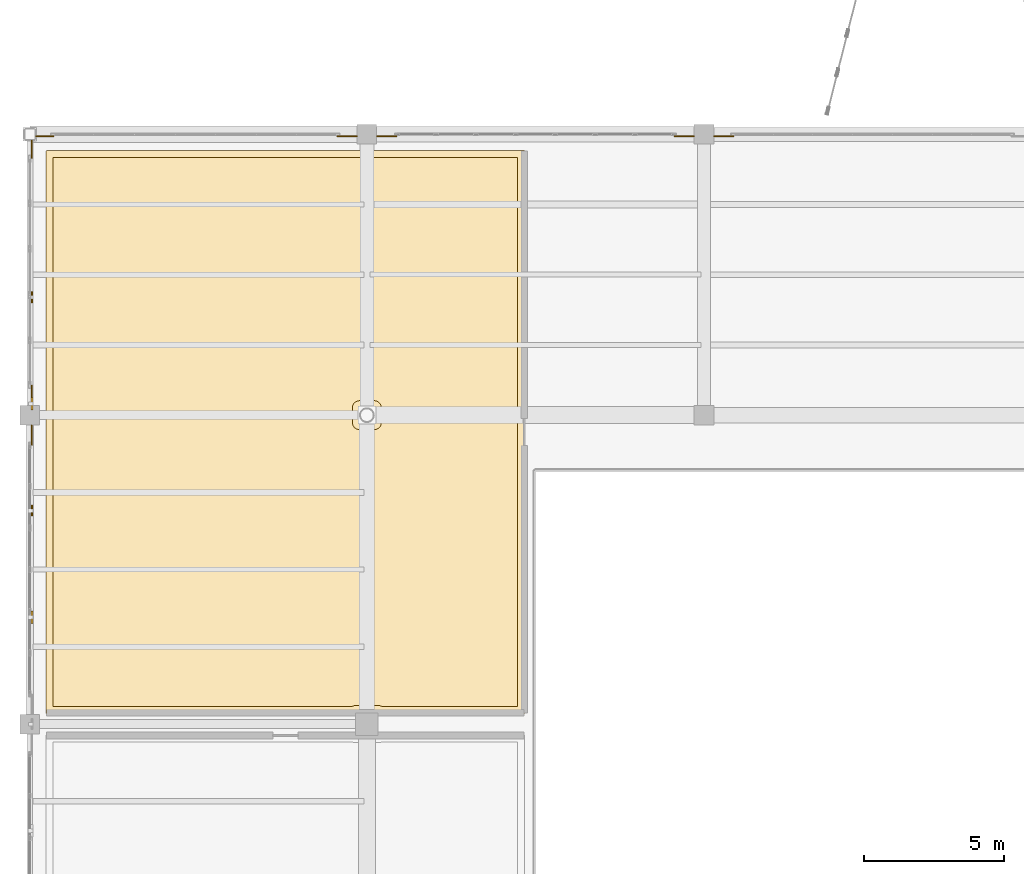
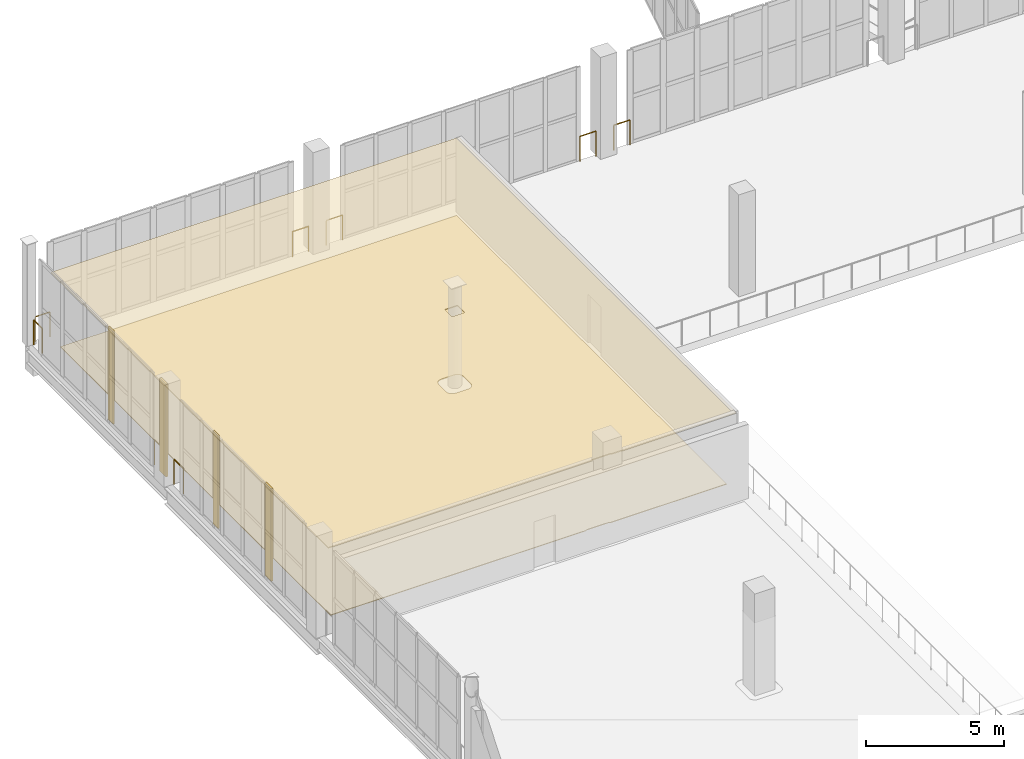
# One storey, part 95 of 108: 8 railings, 4 shading devices, 2 coverings.
"""IFC4 building model written with IfcOpenShell, lengths in metres."""

from ifc_helpers import new_model, si_unit, direction, frame, origin, origin_2d, place, context, subcontext, project, spatial, polyline, rectangle, circle, outline, extrude, material, layer, layer_set, material_profile, profile_set, type_object, element, save


model = new_model("IFC4")

# Units and contexts
model_context = context("Model", 3, precision=1e-05, world=origin(), true_north=direction((0.0, 1.0)))
body_context = subcontext(model_context, "Body", "Model", "MODEL_VIEW")
ifc_project = project(units=[si_unit("LENGTHUNIT", "METRE"), si_unit("AREAUNIT", "SQUARE_METRE"), si_unit("VOLUMEUNIT", "CUBIC_METRE"), si_unit("PLANEANGLEUNIT", "RADIAN"), si_unit("MASSUNIT", "GRAM", prefix="KILO")], contexts=[model_context])

# Site, building, storey
site_placement = place(None, origin())
site = spatial("IfcSite", under=ifc_project, at=site_placement, CompositionType="ELEMENT")
building_placement = place(site_placement, origin())
building = spatial("IfcBuilding", under=site, at=building_placement, Name="Brinegate Civic Arena", CompositionType="ELEMENT")
storey_placement = place(building_placement, frame((0.0, 0.0, 10.199951171875)))
storey = spatial("IfcBuildingStorey", under=building, at=storey_placement, Name="L02", CompositionType="ELEMENT", Elevation=10.199951171875)

# Coverings
ifc_material_1 = material(Name="Acoustic perforated aluminium ceiling", Category="aluminium")
ifc_layer_1 = layer(ifc_material_1, 0.044921875, Name="Acoustic perforated aluminium ceiling")
ifc_layer_set_1 = layer_set([ifc_layer_1], Name="Acoustic perforated aluminium ceiling")
covering_type_1 = type_object("IfcCoveringType", Name="CEILING-BAFFLE-45", PredefinedType="CEILING", material=ifc_layer_set_1)
covering_1_placement = place(storey_placement, frame((0.0, 0.0, 3.205078125)))
element("IfcCovering", 1, at=covering_1_placement, inside=storey, type_object=covering_type_1, Name="Acoustic Ceiling L02-005", PredefinedType="CEILING", context=body_context, shape_type="SweptSolid", body=[
    extrude(outline(polyline([(17.60400390625, 51.419921875), (17.60595703125, 51.4189453125), (17.60791015625, 51.41796875), (17.60888671875, 51.41796875), (17.611083984375, 51.4169921875), (17.613037109375, 51.4150390625), (17.614013671875, 51.4140625), (17.614990234375, 51.4130859375), (17.616943359375, 51.410888671875), (17.617919921875, 51.408935546875), (17.617919921875, 51.407958984375), (17.618896484375, 51.406005859375), (17.6201171875, 51.404052734375), (17.6201171875, 51.402099609375), (17.6201171875, 51.39990234375), (17.6201171875, 31.39990234375), (17.6201171875, 31.39794921875), (17.6201171875, 31.39599609375), (17.618896484375, 31.39404296875), (17.617919921875, 31.39208984375), (17.617919921875, 31.39111328125), (17.616943359375, 31.388916015625), (17.614990234375, 31.386962890625), (17.614013671875, 31.385986328125), (17.613037109375, 31.385009765625), (17.611083984375, 31.383056640625), (17.60888671875, 31.382080078125), (17.60791015625, 31.382080078125), (17.60595703125, 31.381103515625), (17.60400390625, 31.3798828125), (17.60205078125, 31.3798828125), (17.60009765625, 31.3798828125), (12.409912109375, 31.3798828125), (12.409912109375, 31.409912109375), (11.590087890625, 31.409912109375), (11.590087890625, 31.3798828125), (0.60009765625, 31.3798828125), (0.597900390625, 31.3798828125), (0.595947265625, 31.3798828125), (0.593994140625, 31.381103515625), (0.592041015625, 31.382080078125), (0.591064453125, 31.382080078125), (0.589111328125, 31.383056640625), (0.5869140625, 31.385009765625), (0.5859375, 31.385986328125), (0.5849609375, 31.386962890625), (0.5830078125, 31.388916015625), (0.58203125, 31.39111328125), (0.58203125, 31.39208984375), (0.5810546875, 31.39404296875), (0.580078125, 31.39599609375), (0.580078125, 31.39794921875), (0.580078125, 31.39990234375), (0.580078125, 51.39990234375), (0.580078125, 51.402099609375), (0.580078125, 51.404052734375), (0.5810546875, 51.406005859375), (0.58203125, 51.407958984375), (0.58203125, 51.408935546875), (0.5830078125, 51.410888671875), (0.5849609375, 51.4130859375), (0.5859375, 51.4140625), (0.5869140625, 51.4150390625), (0.589111328125, 51.4169921875), (0.591064453125, 51.41796875), (0.592041015625, 51.41796875), (0.593994140625, 51.4189453125), (0.595947265625, 51.419921875), (0.597900390625, 51.419921875), (0.60009765625, 51.419921875), (17.60009765625, 51.419921875), (17.60205078125, 51.419921875), (17.60400390625, 51.419921875)]), holes=[polyline([(11.736083984375, 42.263916015625), (11.736083984375, 41.736083984375), (12.263916015625, 41.736083984375), (12.263916015625, 42.263916015625), (11.736083984375, 42.263916015625)])]), origin(), (0.0, 0.0, 1.0), 0.044921875),
])
ifc_material_2 = material(Name="Polished coral terrazzo flooring")
ifc_layer_2 = layer(ifc_material_2, 0.028076171875, Name="Polished coral terrazzo flooring")
ifc_layer_set_2 = layer_set([ifc_layer_2], Name="Polished coral terrazzo flooring")
covering_type_2 = type_object("IfcCoveringType", Name="FLOORING-TERRAZZO-28", PredefinedType="FLOORING", material=ifc_layer_set_2)
covering_2_placement = place(storey_placement, origin())
element("IfcCovering", 2, at=covering_2_placement, inside=storey, type_object=covering_type_2, Name="Flooring L02-005", PredefinedType="FLOORING", context=body_context, shape_type="SweptSolid", body=[
    extrude(outline(polyline([(0.830078125, 31.6298828125), (0.830078125, 51.169921875), (17.3701171875, 51.169921875), (17.3701171875, 31.6298828125), (12.529052734375, 31.6298828125), (12.528076171875, 31.6298828125), (12.506103515625, 31.64111328125), (12.48291015625, 31.64892578125), (12.458984375, 31.655029296875), (12.43505859375, 31.658935546875), (12.409912109375, 31.659912109375), (11.590087890625, 31.659912109375), (11.56494140625, 31.658935546875), (11.541015625, 31.655029296875), (11.51708984375, 31.64892578125), (11.493896484375, 31.64111328125), (11.471923828125, 31.6298828125), (11.470947265625, 31.6298828125), (0.830078125, 31.6298828125)]), holes=[polyline([(11.736083984375, 42.513916015625), (11.7109375, 42.512939453125), (11.68701171875, 42.509033203125), (11.6630859375, 42.5029296875), (11.639892578125, 42.4951171875), (11.617919921875, 42.48388671875), (11.596923828125, 42.471923828125), (11.576904296875, 42.45703125), (11.55908203125, 42.44091796875), (11.54296875, 42.423095703125), (11.528076171875, 42.403076171875), (11.51611328125, 42.382080078125), (11.5048828125, 42.360107421875), (11.4970703125, 42.3369140625), (11.490966796875, 42.31298828125), (11.487060546875, 42.2890625), (11.486083984375, 42.263916015625), (11.486083984375, 41.736083984375), (11.487060546875, 41.7109375), (11.490966796875, 41.68701171875), (11.4970703125, 41.6630859375), (11.5048828125, 41.639892578125), (11.51611328125, 41.617919921875), (11.528076171875, 41.596923828125), (11.54296875, 41.576904296875), (11.55908203125, 41.55908203125), (11.576904296875, 41.54296875), (11.596923828125, 41.528076171875), (11.617919921875, 41.51611328125), (11.639892578125, 41.5048828125), (11.6630859375, 41.4970703125), (11.68701171875, 41.490966796875), (11.7109375, 41.487060546875), (11.736083984375, 41.486083984375), (12.263916015625, 41.486083984375), (12.2890625, 41.487060546875), (12.31298828125, 41.490966796875), (12.3369140625, 41.4970703125), (12.360107421875, 41.5048828125), (12.382080078125, 41.51611328125), (12.403076171875, 41.528076171875), (12.423095703125, 41.54296875), (12.44091796875, 41.55908203125), (12.45703125, 41.576904296875), (12.471923828125, 41.596923828125), (12.48388671875, 41.617919921875), (12.4951171875, 41.639892578125), (12.5029296875, 41.6630859375), (12.509033203125, 41.68701171875), (12.512939453125, 41.7109375), (12.513916015625, 41.736083984375), (12.513916015625, 42.263916015625), (12.512939453125, 42.2890625), (12.509033203125, 42.31298828125), (12.5029296875, 42.3369140625), (12.4951171875, 42.360107421875), (12.48388671875, 42.382080078125), (12.471923828125, 42.403076171875), (12.45703125, 42.423095703125), (12.44091796875, 42.44091796875), (12.423095703125, 42.45703125), (12.403076171875, 42.471923828125), (12.382080078125, 42.48388671875), (12.360107421875, 42.4951171875), (12.3369140625, 42.5029296875), (12.31298828125, 42.509033203125), (12.2890625, 42.512939453125), (12.263916015625, 42.513916015625), (11.736083984375, 42.513916015625)])]), origin(), (0.0, 0.0, 1.0), 0.028076171875),
])

# Railings
ifc_material_3 = material(Name="Architectural stainless steel balustrade", Category="steel")
railing_type = type_object("IfcRailingType", Name="RAIL-VOID-BALUSTRADE-1120", PredefinedType="BALUSTRADE", material=ifc_material_3)
for number, where, name in (
    (3, (0.070068359375, 40.955078125, 0.0), "Deck Edge Balustrade L02-116"),
    (4, (0.070068359375, 42.3701171875, 0.0), "Deck Edge Balustrade L02-117"),
):
    element("IfcRailing", number, at=place(storey_placement, frame(where)), inside=storey, type_object=railing_type, Name=name, PredefinedType="BALUSTRADE", context=body_context, shape_type="SweptSolid", body=[
        extrude(circle(Radius=0.02392578125, at=origin_2d()), frame((0.0, 0.00146484375, 1.09619140625), z_axis=(0.0, 1.0, 0.0), x_axis=(-1.0, 0.0, 0.0)), (0.0, 0.0, 1.0), 0.671875),
        extrude(circle(Radius=0.02099609375, at=origin_2d()), origin(), (0.0, 0.0, 1.0), 1.070068359375),
        extrude(circle(Radius=0.02099609375, at=origin_2d()), frame((0.0, 0.6748046875, 0.0)), (0.0, 0.0, 1.0), 1.070068359375),
    ])
railing_1_placement = place(storey_placement, frame((0.070068359375, 51.1669921875, 0.0)))
element("IfcRailing", 5, at=railing_1_placement, inside=storey, type_object=railing_type, Name="Deck Edge Balustrade L02-118", PredefinedType="BALUSTRADE", context=body_context, shape_type="SweptSolid", body=[
    extrude(circle(Radius=0.02392578125, at=origin_2d()), frame((0.0, 0.00146484375, 1.09619140625), z_axis=(0.0, 1.0, 0.0), x_axis=(-1.0, 0.0, 0.0)), (0.0, 0.0, 1.0), 0.610107421875),
    extrude(circle(Radius=0.02099609375, at=origin_2d()), origin(), (0.0, 0.0, 1.0), 1.070068359375),
    extrude(circle(Radius=0.02099609375, at=origin_2d()), frame((0.0, 0.613037109375, 0.0)), (0.0, 0.0, 1.0), 1.070068359375),
])
railing_2_placement = place(storey_placement, frame((0.219970703125, 51.929931640625, 0.0)))
element("IfcRailing", 6, at=railing_2_placement, inside=storey, type_object=railing_type, Name="Deck Edge Balustrade L02-119", PredefinedType="BALUSTRADE", context=body_context, shape_type="SweptSolid", body=[
    extrude(circle(Radius=0.02392578125, at=origin_2d()), frame((0.00146484375, 0.0, 1.09619140625), z_axis=(1.0, 0.0, 0.0), x_axis=(0.0, 1.0, 0.0)), (0.0, 0.0, 1.0), 0.610107421875),
    extrude(circle(Radius=0.02099609375, at=origin_2d()), origin(), (0.0, 0.0, 1.0), 1.070068359375),
    extrude(circle(Radius=0.02099609375, at=origin_2d()), frame((0.613037109375, 0.0, 0.0)), (0.0, 0.0, 1.0), 1.070068359375),
])
for number, where, name in (
    (7, (10.955078125, 51.929931640625, 0.0), "Deck Edge Balustrade L02-120"),
    (8, (12.3701171875, 51.929931640625, 0.0), "Deck Edge Balustrade L02-121"),
    (9, (22.955078125, 51.929931640625, 0.0), "Deck Edge Balustrade L02-122"),
    (10, (24.3701171875, 51.929931640625, 0.0), "Deck Edge Balustrade L02-123"),
):
    element("IfcRailing", number, at=place(storey_placement, frame(where)), inside=storey, type_object=railing_type, Name=name, PredefinedType="BALUSTRADE", context=body_context, shape_type="SweptSolid", body=[
        extrude(circle(Radius=0.02392578125, at=origin_2d()), frame((0.00146484375, 0.0, 1.09619140625), z_axis=(1.0, 0.0, 0.0), x_axis=(0.0, 1.0, 0.0)), (0.0, 0.0, 1.0), 0.671875),
        extrude(circle(Radius=0.02099609375, at=origin_2d()), origin(), (0.0, 0.0, 1.0), 1.070068359375),
        extrude(circle(Radius=0.02099609375, at=origin_2d()), frame((0.6748046875, 0.0, 0.0)), (0.0, 0.0, 1.0), 1.070068359375),
    ])

# Shading devices
ifc_material_4 = material(Name="Marine grade aluminium", Category="aluminium")
ifc_material_profile_1 = material_profile(ifc_material_4, rectangle(XDim=0.06494140625, YDim=0.3798828125, at=origin_2d()), Name="FIN65X380")
ifc_profile_set_1 = profile_set([ifc_material_profile_1], Name="Marine grade aluminium")
shading_device_type_1 = type_object("IfcShadingDeviceType", Name="SHADE-BLADE-LOUVRE-380", PredefinedType="USERDEFINED", material=ifc_profile_set_1)
for number, where, z_axis, x_axis, name in (
    (11, (0.080078125, 38.60009765625, 0.0), (0.0, 0.0, 1.0), (1.0, 0.0, 0.0), "Vertical Hurricane Solar Fin FIN-WH-08"),
    (12, (0.080078125, 46.199951171875, 0.0), (0.0, 0.0, 1.0), (1.0, 0.0, 0.0), "Vertical Hurricane Solar Fin FIN-WH-10"),
):
    element("IfcShadingDevice", number, at=place(storey_placement, frame(where, z_axis=z_axis, x_axis=x_axis)), inside=storey, type_object=shading_device_type_1, Name=name, ObjectType="LOUVRE", PredefinedType="USERDEFINED", context=body_context, shape_type="SweptSolid", body=[
        extrude(rectangle(XDim=0.06494140625, YDim=0.3798828125, at=origin_2d()), origin(), (0.0, 0.0, 1.0), 4.10009765625),
    ])
ifc_material_profile_2 = material_profile(ifc_material_4, rectangle(XDim=0.074951171875, YDim=0.449951171875, at=origin_2d()), Name="FIN75X450")
ifc_profile_set_2 = profile_set([ifc_material_profile_2], Name="Marine grade aluminium")
shading_device_type_2 = type_object("IfcShadingDeviceType", Name="SHADE-SOLAR-FIN-450", PredefinedType="USERDEFINED", material=ifc_profile_set_2)
for number, where, z_axis, x_axis, name in (
    (13, (0.080078125, 34.800048828125, 0.0), (0.0, 0.0, 1.0), (1.0, 0.0, 0.0), "Vertical Hurricane Solar Fin FIN-WH-07"),
    (14, (0.080078125, 42.39990234375, 0.0), (0.0, 0.0, 1.0), (1.0, 0.0, 0.0), "Vertical Hurricane Solar Fin FIN-WH-09"),
):
    element("IfcShadingDevice", number, at=place(storey_placement, frame(where, z_axis=z_axis, x_axis=x_axis)), inside=storey, type_object=shading_device_type_2, Name=name, ObjectType="FIN", PredefinedType="USERDEFINED", context=body_context, shape_type="SweptSolid", body=[
        extrude(rectangle(XDim=0.074951171875, YDim=0.449951171875, at=origin_2d()), origin(), (0.0, 0.0, 1.0), 4.10009765625),
    ])

save(model, "model.ifc")
